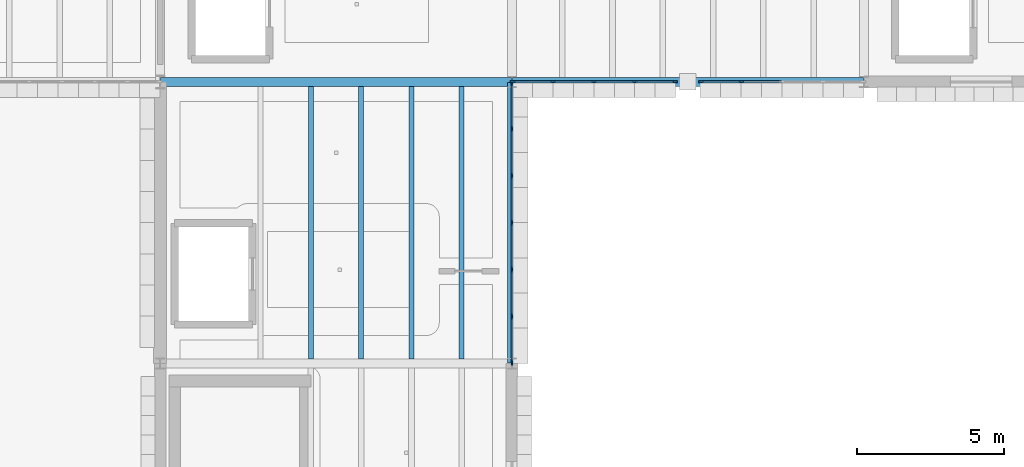
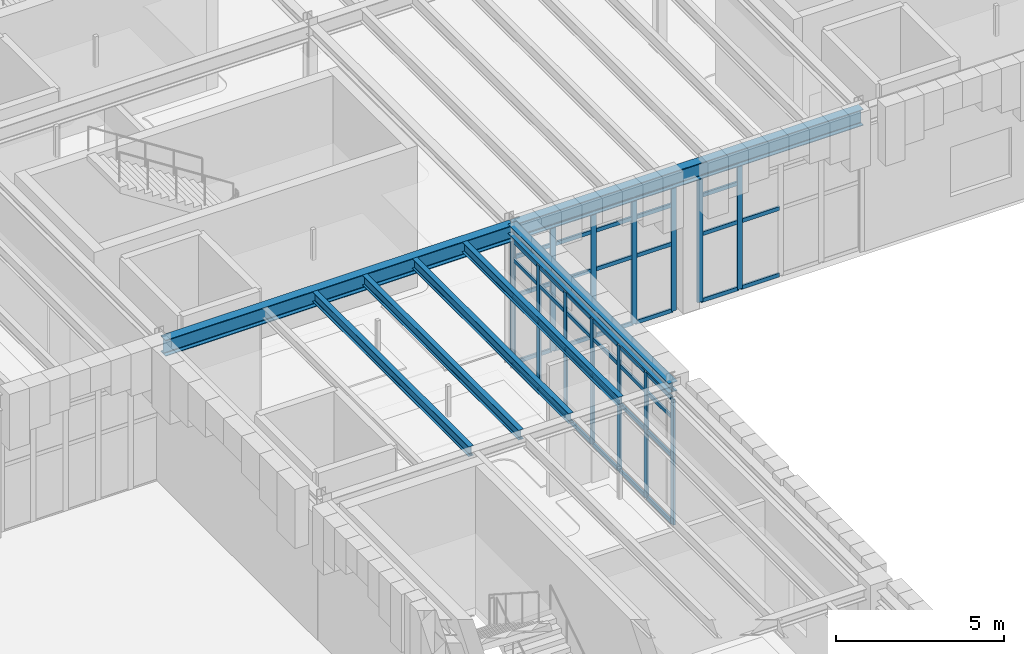
# One storey, part 35 of 103: 60 members, 7 beams, 3 elements without a shape of their own.
"""IFC4 building model written with IfcOpenShell, lengths in metres."""

import ifcopenshell
import ifcopenshell.guid

model = None  # the IFC model being written
_history = None  # IfcOwnerHistory: only IFC2X3 demands one
_inside = {}  # id of a spatial element -> (the spatial element, [elements in it])
_under = {}  # id of a project, library or spatial element -> (it, [spatial elements below it])
_declared = {}  # id of a project -> (the project, [libraries it declares])
_typed = {}  # id of a type object -> (the type object, [elements of that type])
_made_of = {}  # id of a material, layer set ... -> (it, [elements and type objects made of it])


def new_model(schema):
    """Start an empty IFC model of exactly this schema.

    Asked for "IFC4X3", IfcOpenShell would pick the latest addendum, in which some entities
    have other attributes; the version numbers below select the first issue.
    IFC2X3 requires an IfcOwnerHistory on every rooted entity: one is made here for all.
    """
    global model, _history
    if schema == "IFC4X3":
        model = ifcopenshell.file(schema_version=(4, 3, 0, 0))
    else:
        model = ifcopenshell.file(schema=schema)
    _inside.clear()
    _under.clear()
    _declared.clear()
    _typed.clear()
    _made_of.clear()
    _history = None
    if model.schema == "IFC2X3":
        org = make("IfcOrganization", Name="unknown")
        user = make(
            "IfcPersonAndOrganization",
            ThePerson=make("IfcPerson", FamilyName="unknown"),
            TheOrganization=org,
        )
        app = make(
            "IfcApplication",
            ApplicationDeveloper=org,
            Version="unknown",
            ApplicationFullName="unknown",
            ApplicationIdentifier="unknown",
        )
        _history = make(
            "IfcOwnerHistory",
            OwningUser=user,
            OwningApplication=app,
            ChangeAction="ADDED",
            CreationDate=0,
        )
    return model


def make(cls, **values):
    """One entity of the class cls with the attributes given. An attribute that is None is left unset."""
    return model.create_entity(
        cls, **{name: value for name, value in values.items() if value is not None}
    )


def rooted(cls, **values):
    """An entity with a GlobalId (a new one), such as an element, a storey or a relation."""
    return make(cls, GlobalId=ifcopenshell.guid.new(), OwnerHistory=_history, **values)


def si_unit(unit_type, name, prefix=None):
    """IfcSIUnit, for example si_unit("LENGTHUNIT", "METRE", prefix="MILLI")."""
    return make("IfcSIUnit", UnitType=unit_type, Prefix=prefix, Name=name)


def assignment(units):
    """IfcUnitAssignment: the units of a project."""
    return None if units is None else make("IfcUnitAssignment", Units=units)


def point(xyz):
    """IfcCartesianPoint."""
    return None if xyz is None else make("IfcCartesianPoint", Coordinates=xyz)


def direction(xyz):
    """IfcDirection."""
    return None if xyz is None else make("IfcDirection", DirectionRatios=xyz)


def frame(location, z_axis=None, x_axis=None):
    """IfcAxis2Placement3D, a coordinate frame: its origin and axes. An axis left out is left unset."""
    return make(
        "IfcAxis2Placement3D",
        Location=point(location),
        Axis=direction(z_axis),
        RefDirection=direction(x_axis),
    )


def frame_2d(location, x_axis=None):
    """IfcAxis2Placement2D, a coordinate frame in the plane: its origin and x axis."""
    return make(
        "IfcAxis2Placement2D", Location=point(location), RefDirection=direction(x_axis)
    )


def origin():
    """The frame at (0, 0, 0) with its axes left unset."""
    return frame((0.0, 0.0, 0.0))


def origin_2d():
    """The frame at (0, 0) in the plane with its x axis left unset."""
    return frame_2d((0.0, 0.0))


def place(relative_to, where):
    """IfcLocalPlacement: puts the frame where relative to a parent placement (None: the world)."""
    return make(
        "IfcLocalPlacement", PlacementRelTo=relative_to, RelativePlacement=where
    )


def context(
    kind, dimensions, precision=None, world=None, true_north=None, identifier=None
):
    """IfcGeometricRepresentationContext, for example the 3D "Model" context."""
    return make(
        "IfcGeometricRepresentationContext",
        ContextIdentifier=identifier,
        ContextType=kind,
        CoordinateSpaceDimension=dimensions,
        Precision=precision,
        WorldCoordinateSystem=world,
        TrueNorth=true_north,
    )


def subcontext(parent, identifier, kind, view, scale=None):
    """IfcGeometricRepresentationSubContext, for example "Body" below "Model"."""
    return make(
        "IfcGeometricRepresentationSubContext",
        ContextIdentifier=identifier,
        ContextType=kind,
        ParentContext=parent,
        TargetScale=scale,
        TargetView=view,
    )


def project(units=None, contexts=None):
    """IfcProject with its units and contexts."""
    return rooted(
        "IfcProject",
        Name="project",
        RepresentationContexts=contexts,
        UnitsInContext=assignment(units),
    )


def spatial(cls, under=None, at=None, **own):
    """A site, building, storey or space (cls), placed at a placement, below another one or the project."""
    s = rooted(cls, ObjectPlacement=at, **own)
    if under is not None:
        _under.setdefault(under.id(), (under, []))[1].append(s)
    return s


def profile(cls, at=None, kind="AREA", **sizes):
    """A parametric profile (cls). Its sizes go by their IFC names, for example OverallWidth=200.0."""
    return make(cls, ProfileType=kind, Position=at, **sizes)


def rectangle(**sizes):
    """IfcRectangleProfileDef."""
    return profile("IfcRectangleProfileDef", **sizes)


def i_section(**sizes):
    """IfcIShapeProfileDef."""
    return profile("IfcIShapeProfileDef", **sizes)


def extrude(swept, where, along, depth):
    """IfcExtrudedAreaSolid: the profile swept, set in the frame where, extruded along a direction by depth."""
    return make(
        "IfcExtrudedAreaSolid",
        SweptArea=swept,
        Position=where,
        ExtrudedDirection=direction(along),
        Depth=depth,
    )


def shape(context_of_items, identifier, shape_type, items):
    """IfcShapeRepresentation: the items that make up one representation, for example the "Body"."""
    return make(
        "IfcShapeRepresentation",
        ContextOfItems=context_of_items,
        RepresentationIdentifier=identifier,
        RepresentationType=shape_type,
        Items=items,
    )


def material(Name=None, Category=None):
    """IfcMaterial."""
    return make("IfcMaterial", Name=Name, Category=Category)


def layer(
    of_material, thickness, ventilated=None, Name=None, Category=None, Priority=None
):
    """IfcMaterialLayer: one layer of a wall or slab, of a material (None: an air gap)."""
    return make(
        "IfcMaterialLayer",
        Material=of_material,
        LayerThickness=thickness,
        IsVentilated=ventilated,
        Name=Name,
        Category=Category,
        Priority=Priority,
    )


def layer_set(layers, Name=None):
    """IfcMaterialLayerSet."""
    return make("IfcMaterialLayerSet", MaterialLayers=layers, LayerSetName=Name)


def material_profile(
    of_material, cross_section, Name=None, Category=None, Priority=None
):
    """IfcMaterialProfile: a cross section and its material."""
    return make(
        "IfcMaterialProfile",
        Name=Name,
        Material=of_material,
        Profile=cross_section,
        Priority=Priority,
        Category=Category,
    )


def profile_set(profiles, Name=None, composite=None):
    """IfcMaterialProfileSet."""
    return make(
        "IfcMaterialProfileSet",
        Name=Name,
        MaterialProfiles=profiles,
        CompositeProfile=composite,
    )


def made_of(thing, what):
    """Note that an element or type object is made of a material, layer set ...; save() writes the relation."""
    if what is not None:
        _made_of.setdefault(what.id(), (what, []))[1].append(thing)
    return thing


def type_object(cls, material=None, **own):
    """A type object (cls), such as IfcWallType, which elements share."""
    return made_of(rooted(cls, **own), material)


def element(
    cls,
    number,
    at=None,
    inside=None,
    cuts=None,
    type_object=None,
    material=None,
    context=None,
    identifier="Body",
    shape_type=None,
    held_by="IfcProductDefinitionShape",
    body=None,
    shapes=None,
    **own,
):
    """One element of the class cls, such as IfcWall. Its Tag is "e" and its number.

    at: its placement. inside: the storey or other place that contains it. cuts: it is an
    opening in that element (IfcRelVoidsElement). A single representation is given by context,
    identifier, shape_type and body (its items); several are given by shapes. held_by: the class
    of the entity that holds the representations. save() writes the other relations.
    """
    e = rooted(cls, Tag="e%d" % number, ObjectPlacement=at, **own)
    if body is not None:
        shapes = [shape(context, identifier, shape_type, body)]
    if shapes is not None:
        e.Representation = make(held_by, Representations=shapes)
    if inside is not None:
        _inside.setdefault(inside.id(), (inside, []))[1].append(e)
    if cuts is not None:
        rooted(
            "IfcRelVoidsElement", RelatingBuildingElement=cuts, RelatedOpeningElement=e
        )
    if type_object is not None:
        _typed.setdefault(type_object.id(), (type_object, []))[1].append(e)
    return made_of(e, material)


def aggregate(whole, parts):
    """IfcRelAggregates: a whole, such as a stair, and the parts it consists of."""
    return rooted("IfcRelAggregates", RelatingObject=whole, RelatedObjects=parts)


def save(model, path):
    """Write the relations noted so far, then the file.

    IfcRelAggregates (storeys below a building ...), IfcRelContainedInSpatialStructure (elements
    in a storey), IfcRelDefinesByType, IfcRelAssociatesMaterial and IfcRelDeclares: one each for
    every whole, place, type object, material and project.
    """
    for whole, parts in _under.values():
        aggregate(whole, parts)
    for where, things in _inside.values():
        rooted(
            "IfcRelContainedInSpatialStructure",
            RelatedElements=things,
            RelatingStructure=where,
        )
    for kind, things in _typed.values():
        rooted("IfcRelDefinesByType", RelatedObjects=things, RelatingType=kind)
    for what, things in _made_of.values():
        rooted("IfcRelAssociatesMaterial", RelatedObjects=things, RelatingMaterial=what)
    for by, libraries in _declared.values():
        rooted("IfcRelDeclares", RelatingContext=by, RelatedDefinitions=libraries)
    model.write(path)


model = new_model("IFC4")

# Units and contexts
model_context = context("Model", 3, precision=1e-05, world=origin(), true_north=direction((0.0, 1.0)))
body_context = subcontext(model_context, "Body", "Model", "MODEL_VIEW")
ifc_project = project(units=[si_unit("LENGTHUNIT", "METRE"), si_unit("AREAUNIT", "SQUARE_METRE"), si_unit("VOLUMEUNIT", "CUBIC_METRE"), si_unit("PLANEANGLEUNIT", "RADIAN"), si_unit("MASSUNIT", "GRAM", prefix="KILO")], contexts=[model_context])

# Site, building, storey
site_placement = place(None, origin())
site = spatial("IfcSite", under=ifc_project, at=site_placement, CompositionType="ELEMENT")
building_placement = place(site_placement, origin())
building = spatial("IfcBuilding", under=site, at=building_placement, Name="Zlatogorsky Bluff Art Gallery", CompositionType="ELEMENT")
storey_placement = place(building_placement, origin())
storey = spatial("IfcBuildingStorey", under=building, at=storey_placement, Name="L00", CompositionType="ELEMENT", Elevation=0.0)

# Beams
ifc_material_1 = material(Name="Steel S355", Category="steel")
ifc_material_profile_1 = material_profile(ifc_material_1, i_section(OverallWidth=0.300048828125, OverallDepth=0.590087890625, WebThickness=0.012939453125, FlangeThickness=0.02490234375, FilletRadius=0.027099609375, at=origin_2d()), Name="HEA 600")
ifc_profile_set_1 = profile_set([ifc_material_profile_1], Name="Steel S355")
beam_type_1 = type_object("IfcBeamType", Name="Beam BM-05 HEA 600", PredefinedType="BEAM", material=ifc_profile_set_1)
for number, where, z_axis, x_axis, name in (
    (1, (120.014892578125, 84.0, 4.844970703125), (1.0, 0.0, 0.0), (0.0, 1.0, 0.0), "Primary girder BM-05 L00 L-M/9"),
    (2, (132.014892578125, 84.0, 4.844970703125), (1.0, 0.0, 0.0), (0.0, 1.0, 0.0), "Primary girder BM-05 L00 M-N/9"),
):
    element("IfcBeam", number, at=place(storey_placement, frame(where, z_axis=z_axis, x_axis=x_axis)), inside=storey, type_object=beam_type_1, Name=name, PredefinedType="BEAM", context=body_context, shape_type="SweptSolid", body=[
        extrude(i_section(OverallWidth=0.300048828125, OverallDepth=0.590087890625, WebThickness=0.012939453125, FlangeThickness=0.02490234375, FilletRadius=0.027099609375, at=origin_2d()), origin(), (0.0, 0.0, 1.0), 11.97021484375),
    ])
ifc_material_profile_2 = material_profile(ifc_material_1, i_section(OverallWidth=0.300048828125, OverallDepth=0.35009765625, WebThickness=0.010009765625, FlangeThickness=0.017578125, FilletRadius=0.027099609375, at=origin_2d()), Name="HEA 360")
ifc_profile_set_2 = profile_set([ifc_material_profile_2], Name="Steel S355")
beam_type_2 = type_object("IfcBeamType", Name="Beam BM-10 HEA 360", PredefinedType="BEAM", material=ifc_profile_set_2)
beam_placement = place(storey_placement, frame((132.0, 74.4150390625, 4.965087890625), z_axis=(0.0, 1.0, 0.0), x_axis=(-1.0, 0.0, 0.0)))
element("IfcBeam", 3, at=beam_placement, inside=storey, type_object=beam_type_2, Name="Primary girder BM-10 L00 M/8-9", PredefinedType="BEAM", context=body_context, shape_type="SweptSolid", body=[
    extrude(i_section(OverallWidth=0.300048828125, OverallDepth=0.35009765625, WebThickness=0.010009765625, FlangeThickness=0.017578125, FilletRadius=0.027099609375, at=origin_2d()), origin(), (0.0, 0.0, 1.0), 9.570068359375),
])
ifc_material_profile_3 = material_profile(ifc_material_1, i_section(OverallWidth=0.169921875, OverallDepth=0.360107421875, WebThickness=0.008056640625, FlangeThickness=0.0126953125, FilletRadius=0.01806640625, at=origin_2d()), Name="IPE 360")
ifc_profile_set_3 = profile_set([ifc_material_profile_3], Name="Steel S355")
beam_type_3 = type_object("IfcBeamType", Name="Beam JS-04 IPE 360", PredefinedType="JOIST", material=ifc_profile_set_3)
for number, where, z_axis, x_axis, name in (
    (4, (125.142822265625, 74.550048828125, 4.9599609375), (0.0, 1.0, 0.0), (-1.0, 0.0, 0.0), "Composite floor joist JS-04 L00 10.07.3"),
    (5, (126.857177734375, 74.550048828125, 4.9599609375), (0.0, 1.0, 0.0), (-1.0, 0.0, 0.0), "Composite floor joist JS-04 L00 10.07.4"),
    (6, (128.571533203125, 74.550048828125, 4.9599609375), (0.0, 1.0, 0.0), (-1.0, 0.0, 0.0), "Composite floor joist JS-04 L00 10.07.5"),
    (7, (130.28564453125, 74.550048828125, 4.9599609375), (0.0, 1.0, 0.0), (-1.0, 0.0, 0.0), "Composite floor joist JS-04 L00 10.07.6"),
):
    element("IfcBeam", number, at=place(storey_placement, frame(where, z_axis=z_axis, x_axis=x_axis)), inside=storey, type_object=beam_type_3, Name=name, PredefinedType="JOIST", context=body_context, shape_type="SweptSolid", body=[
        extrude(i_section(OverallWidth=0.169921875, OverallDepth=0.360107421875, WebThickness=0.008056640625, FlangeThickness=0.0126953125, FilletRadius=0.01806640625, at=origin_2d()), origin(), (0.0, 0.0, 1.0), 9.300048828125),
    ])

# Curtain wall, members
ifc_material_2 = material(Name="Anodised Bronze Aluminium and Low-Iron Triple Glazing", Category="aluminium")
ifc_layer = layer(ifc_material_2, 0.199951171875)
ifc_layer_set = layer_set([ifc_layer], Name="Curtain Wall CW-02")
curtain_wall_type = type_object("IfcCurtainWallType", Name="Curtain Wall CW-02", PredefinedType="USERDEFINED", material=ifc_layer_set)
curtain_wall_1_placement = place(storey_placement, origin())
curtain_wall_1 = element("IfcCurtainWall", 8, at=curtain_wall_1_placement, inside=storey, type_object=curtain_wall_type, Name="Unitised curtain wall CW-02 L00 E 10.7", ObjectType="CURTAIN WALL", PredefinedType="USERDEFINED")
ifc_material_3 = material(Name="Anodised Bronze Aluminium", Category="aluminium")
ifc_material_profile_4 = material_profile(ifc_material_3, rectangle(XDim=0.06494140625, YDim=0.179931640625, at=origin_2d()), Name="ALU MULLION 65x180")
ifc_profile_set_4 = profile_set([ifc_material_profile_4], Name="Anodised Bronze Aluminium")
member_type_1 = type_object("IfcMemberType", Name="Curtain Mullion ML-01", PredefinedType="MULLION", material=ifc_profile_set_4)
member_1_placement = place(storey_placement, frame((132.0, 74.4326171875, 0.0), z_axis=(0.0, 0.0, 1.0), x_axis=(-1.0, 0.0, 0.0)))
member_1 = element("IfcMember", 9, at=member_1_placement, type_object=member_type_1, Name="CW-02 mullion 1", PredefinedType="MULLION", context=body_context, shape_type="SweptSolid", body=[
    extrude(rectangle(XDim=0.06494140625, YDim=0.179931640625, at=origin_2d()), origin(), (0.0, 0.0, 1.0), 4.56005859375),
])
member_2_placement = place(storey_placement, frame((132.0, 76.0, 0.0), z_axis=(0.0, 0.0, 1.0), x_axis=(-1.0, 0.0, 0.0)))
member_2 = element("IfcMember", 10, at=member_2_placement, type_object=member_type_1, Name="CW-02 mullion 2", PredefinedType="MULLION", context=body_context, shape_type="SweptSolid", body=[
    extrude(rectangle(XDim=0.06494140625, YDim=0.179931640625, at=origin_2d()), origin(), (0.0, 0.0, 1.0), 4.56005859375),
])
member_3_placement = place(storey_placement, frame((132.0, 77.60009765625, 0.0), z_axis=(0.0, 0.0, 1.0), x_axis=(-1.0, 0.0, 0.0)))
member_3 = element("IfcMember", 11, at=member_3_placement, type_object=member_type_1, Name="CW-02 mullion 3", PredefinedType="MULLION", context=body_context, shape_type="SweptSolid", body=[
    extrude(rectangle(XDim=0.06494140625, YDim=0.179931640625, at=origin_2d()), origin(), (0.0, 0.0, 1.0), 4.56005859375),
])
member_4_placement = place(storey_placement, frame((132.0, 79.199951171875, 0.0), z_axis=(0.0, 0.0, 1.0), x_axis=(-1.0, 0.0, 0.0)))
member_4 = element("IfcMember", 12, at=member_4_placement, type_object=member_type_1, Name="CW-02 mullion 4", PredefinedType="MULLION", context=body_context, shape_type="SweptSolid", body=[
    extrude(rectangle(XDim=0.06494140625, YDim=0.179931640625, at=origin_2d()), origin(), (0.0, 0.0, 1.0), 4.56005859375),
])
member_5_placement = place(storey_placement, frame((132.0, 80.800048828125, 0.0), z_axis=(0.0, 0.0, 1.0), x_axis=(-1.0, 0.0, 0.0)))
member_5 = element("IfcMember", 13, at=member_5_placement, type_object=member_type_1, Name="CW-02 mullion 5", PredefinedType="MULLION", context=body_context, shape_type="SweptSolid", body=[
    extrude(rectangle(XDim=0.06494140625, YDim=0.179931640625, at=origin_2d()), origin(), (0.0, 0.0, 1.0), 4.56005859375),
])
member_6_placement = place(storey_placement, frame((132.0, 82.39990234375, 0.0), z_axis=(0.0, 0.0, 1.0), x_axis=(-1.0, 0.0, 0.0)))
member_6 = element("IfcMember", 14, at=member_6_placement, type_object=member_type_1, Name="CW-02 mullion 6", PredefinedType="MULLION", context=body_context, shape_type="SweptSolid", body=[
    extrude(rectangle(XDim=0.06494140625, YDim=0.179931640625, at=origin_2d()), origin(), (0.0, 0.0, 1.0), 4.56005859375),
])
member_7_placement = place(storey_placement, frame((132.0, 83.967529296875, 0.0), z_axis=(0.0, 0.0, 1.0), x_axis=(-1.0, 0.0, 0.0)))
member_7 = element("IfcMember", 15, at=member_7_placement, type_object=member_type_1, Name="CW-02 mullion 7", PredefinedType="MULLION", context=body_context, shape_type="SweptSolid", body=[
    extrude(rectangle(XDim=0.06494140625, YDim=0.179931640625, at=origin_2d()), origin(), (0.0, 0.0, 1.0), 4.56005859375),
])

curtain_wall_2_placement = place(storey_placement, origin())
curtain_wall_2 = element("IfcCurtainWall", 16, at=curtain_wall_2_placement, inside=storey, type_object=curtain_wall_type, Name="Unitised curtain wall CW-02 L00 S 11.8-A", ObjectType="CURTAIN WALL", PredefinedType="USERDEFINED")
member_8_placement = place(storey_placement, frame((132.032470703125, 84.0, 0.0), z_axis=(0.0, 0.0, 1.0), x_axis=(0.0, 1.0, 0.0)))
member_8 = element("IfcMember", 17, at=member_8_placement, type_object=member_type_1, Name="CW-02 mullion 1", PredefinedType="MULLION", context=body_context, shape_type="SweptSolid", body=[
    extrude(rectangle(XDim=0.06494140625, YDim=0.179931640625, at=origin_2d()), origin(), (0.0, 0.0, 1.0), 4.56005859375),
])
member_9_placement = place(storey_placement, frame((133.39501953125, 84.0, 0.0), z_axis=(0.0, 0.0, 1.0), x_axis=(0.0, 1.0, 0.0)))
member_9 = element("IfcMember", 18, at=member_9_placement, type_object=member_type_1, Name="CW-02 mullion 2", PredefinedType="MULLION", context=body_context, shape_type="SweptSolid", body=[
    extrude(rectangle(XDim=0.06494140625, YDim=0.179931640625, at=origin_2d()), origin(), (0.0, 0.0, 1.0), 4.56005859375),
])
member_10_placement = place(storey_placement, frame((134.7900390625, 84.0, 0.0), z_axis=(0.0, 0.0, 1.0), x_axis=(0.0, 1.0, 0.0)))
member_10 = element("IfcMember", 19, at=member_10_placement, type_object=member_type_1, Name="CW-02 mullion 3", PredefinedType="MULLION", context=body_context, shape_type="SweptSolid", body=[
    extrude(rectangle(XDim=0.06494140625, YDim=0.179931640625, at=origin_2d()), origin(), (0.0, 0.0, 1.0), 4.56005859375),
])
member_11_placement = place(storey_placement, frame((136.18505859375, 84.0, 0.0), z_axis=(0.0, 0.0, 1.0), x_axis=(0.0, 1.0, 0.0)))
member_11 = element("IfcMember", 20, at=member_11_placement, type_object=member_type_1, Name="CW-02 mullion 4", PredefinedType="MULLION", context=body_context, shape_type="SweptSolid", body=[
    extrude(rectangle(XDim=0.06494140625, YDim=0.179931640625, at=origin_2d()), origin(), (0.0, 0.0, 1.0), 4.56005859375),
])
member_12_placement = place(storey_placement, frame((137.547607421875, 84.0, 0.0), z_axis=(0.0, 0.0, 1.0), x_axis=(0.0, 1.0, 0.0)))
member_12 = element("IfcMember", 21, at=member_12_placement, type_object=member_type_1, Name="CW-02 mullion 5", PredefinedType="MULLION", context=body_context, shape_type="SweptSolid", body=[
    extrude(rectangle(XDim=0.06494140625, YDim=0.179931640625, at=origin_2d()), origin(), (0.0, 0.0, 1.0), 4.56005859375),
])

curtain_wall_3_placement = place(storey_placement, origin())
curtain_wall_3 = element("IfcCurtainWall", 22, at=curtain_wall_3_placement, inside=storey, type_object=curtain_wall_type, Name="Unitised curtain wall CW-02 L00 S 11.8-B", ObjectType="CURTAIN WALL", PredefinedType="USERDEFINED")
member_13_placement = place(storey_placement, frame((138.452392578125, 84.0, 0.0), z_axis=(0.0, 0.0, 1.0), x_axis=(0.0, 1.0, 0.0)))
member_13 = element("IfcMember", 23, at=member_13_placement, type_object=member_type_1, Name="CW-02 mullion 1", PredefinedType="MULLION", context=body_context, shape_type="SweptSolid", body=[
    extrude(rectangle(XDim=0.06494140625, YDim=0.179931640625, at=origin_2d()), origin(), (0.0, 0.0, 1.0), 4.56005859375),
])
member_14_placement = place(storey_placement, frame((139.81494140625, 84.0, 0.0), z_axis=(0.0, 0.0, 1.0), x_axis=(0.0, 1.0, 0.0)))
member_14 = element("IfcMember", 24, at=member_14_placement, type_object=member_type_1, Name="CW-02 mullion 2", PredefinedType="MULLION", context=body_context, shape_type="SweptSolid", body=[
    extrude(rectangle(XDim=0.06494140625, YDim=0.179931640625, at=origin_2d()), origin(), (0.0, 0.0, 1.0), 4.56005859375),
])

# Member
ifc_material_profile_5 = material_profile(ifc_material_3, rectangle(XDim=0.06494140625, YDim=0.139892578125, at=origin_2d()), Name="ALU TRANSOM 65x140")
ifc_profile_set_5 = profile_set([ifc_material_profile_5], Name="Anodised Bronze Aluminium")
member_type_2 = type_object("IfcMemberType", Name="Curtain Transom TR-01", PredefinedType="USERDEFINED", material=ifc_profile_set_5)
member_15_placement = place(storey_placement, frame((132.0, 74.465087890625, 0.032470703125), z_axis=(0.0, 1.0, 0.0), x_axis=(-1.0, 0.0, 0.0)))
member_15 = element("IfcMember", 25, at=member_15_placement, type_object=member_type_2, Name="CW-02 transom 1.1", ObjectType="TRANSOM", PredefinedType="USERDEFINED", context=body_context, shape_type="SweptSolid", body=[
    extrude(rectangle(XDim=0.06494140625, YDim=0.139892578125, at=origin_2d()), origin(), (0.0, 0.0, 1.0), 1.50244140625),
])

member_16_placement = place(storey_placement, frame((132.0, 74.465087890625, 2.449951171875), z_axis=(0.0, 1.0, 0.0), x_axis=(-1.0, 0.0, 0.0)))
member_16 = element("IfcMember", 26, at=member_16_placement, type_object=member_type_2, Name="CW-02 transom 1.2", ObjectType="TRANSOM", PredefinedType="USERDEFINED", context=body_context, shape_type="SweptSolid", body=[
    extrude(rectangle(XDim=0.06494140625, YDim=0.139892578125, at=origin_2d()), origin(), (0.0, 0.0, 1.0), 1.50244140625),
])

member_17_placement = place(storey_placement, frame((132.0, 74.465087890625, 3.85009765625), z_axis=(0.0, 1.0, 0.0), x_axis=(-1.0, 0.0, 0.0)))
member_17 = element("IfcMember", 27, at=member_17_placement, type_object=member_type_2, Name="CW-02 transom 1.3", ObjectType="TRANSOM", PredefinedType="USERDEFINED", context=body_context, shape_type="SweptSolid", body=[
    extrude(rectangle(XDim=0.06494140625, YDim=0.139892578125, at=origin_2d()), origin(), (0.0, 0.0, 1.0), 1.50244140625),
])

member_18_placement = place(storey_placement, frame((132.0, 74.465087890625, 4.527587890625), z_axis=(0.0, 1.0, 0.0), x_axis=(-1.0, 0.0, 0.0)))
member_18 = element("IfcMember", 28, at=member_18_placement, type_object=member_type_2, Name="CW-02 transom 1.4", ObjectType="TRANSOM", PredefinedType="USERDEFINED", context=body_context, shape_type="SweptSolid", body=[
    extrude(rectangle(XDim=0.06494140625, YDim=0.139892578125, at=origin_2d()), origin(), (0.0, 0.0, 1.0), 1.50244140625),
])

member_19_placement = place(storey_placement, frame((132.0, 76.032470703125, 0.032470703125), z_axis=(0.0, 1.0, 0.0), x_axis=(-1.0, 0.0, 0.0)))
member_19 = element("IfcMember", 29, at=member_19_placement, type_object=member_type_2, Name="CW-02 transom 2.1", ObjectType="TRANSOM", PredefinedType="USERDEFINED", context=body_context, shape_type="SweptSolid", body=[
    extrude(rectangle(XDim=0.06494140625, YDim=0.139892578125, at=origin_2d()), origin(), (0.0, 0.0, 1.0), 1.534912109375),
])

member_20_placement = place(storey_placement, frame((132.0, 76.032470703125, 2.449951171875), z_axis=(0.0, 1.0, 0.0), x_axis=(-1.0, 0.0, 0.0)))
member_20 = element("IfcMember", 30, at=member_20_placement, type_object=member_type_2, Name="CW-02 transom 2.2", ObjectType="TRANSOM", PredefinedType="USERDEFINED", context=body_context, shape_type="SweptSolid", body=[
    extrude(rectangle(XDim=0.06494140625, YDim=0.139892578125, at=origin_2d()), origin(), (0.0, 0.0, 1.0), 1.534912109375),
])

member_21_placement = place(storey_placement, frame((132.0, 76.032470703125, 3.85009765625), z_axis=(0.0, 1.0, 0.0), x_axis=(-1.0, 0.0, 0.0)))
member_21 = element("IfcMember", 31, at=member_21_placement, type_object=member_type_2, Name="CW-02 transom 2.3", ObjectType="TRANSOM", PredefinedType="USERDEFINED", context=body_context, shape_type="SweptSolid", body=[
    extrude(rectangle(XDim=0.06494140625, YDim=0.139892578125, at=origin_2d()), origin(), (0.0, 0.0, 1.0), 1.534912109375),
])

member_22_placement = place(storey_placement, frame((132.0, 76.032470703125, 4.527587890625), z_axis=(0.0, 1.0, 0.0), x_axis=(-1.0, 0.0, 0.0)))
member_22 = element("IfcMember", 32, at=member_22_placement, type_object=member_type_2, Name="CW-02 transom 2.4", ObjectType="TRANSOM", PredefinedType="USERDEFINED", context=body_context, shape_type="SweptSolid", body=[
    extrude(rectangle(XDim=0.06494140625, YDim=0.139892578125, at=origin_2d()), origin(), (0.0, 0.0, 1.0), 1.534912109375),
])

member_23_placement = place(storey_placement, frame((132.0, 77.632568359375, 0.032470703125), z_axis=(0.0, 1.0, 0.0), x_axis=(-1.0, 0.0, 0.0)))
member_23 = element("IfcMember", 33, at=member_23_placement, type_object=member_type_2, Name="CW-02 transom 3.1", ObjectType="TRANSOM", PredefinedType="USERDEFINED", context=body_context, shape_type="SweptSolid", body=[
    extrude(rectangle(XDim=0.06494140625, YDim=0.139892578125, at=origin_2d()), origin(), (0.0, 0.0, 1.0), 1.534912109375),
])

member_24_placement = place(storey_placement, frame((132.0, 77.632568359375, 2.449951171875), z_axis=(0.0, 1.0, 0.0), x_axis=(-1.0, 0.0, 0.0)))
member_24 = element("IfcMember", 34, at=member_24_placement, type_object=member_type_2, Name="CW-02 transom 3.2", ObjectType="TRANSOM", PredefinedType="USERDEFINED", context=body_context, shape_type="SweptSolid", body=[
    extrude(rectangle(XDim=0.06494140625, YDim=0.139892578125, at=origin_2d()), origin(), (0.0, 0.0, 1.0), 1.534912109375),
])

member_25_placement = place(storey_placement, frame((132.0, 77.632568359375, 3.85009765625), z_axis=(0.0, 1.0, 0.0), x_axis=(-1.0, 0.0, 0.0)))
member_25 = element("IfcMember", 35, at=member_25_placement, type_object=member_type_2, Name="CW-02 transom 3.3", ObjectType="TRANSOM", PredefinedType="USERDEFINED", context=body_context, shape_type="SweptSolid", body=[
    extrude(rectangle(XDim=0.06494140625, YDim=0.139892578125, at=origin_2d()), origin(), (0.0, 0.0, 1.0), 1.534912109375),
])

member_26_placement = place(storey_placement, frame((132.0, 77.632568359375, 4.527587890625), z_axis=(0.0, 1.0, 0.0), x_axis=(-1.0, 0.0, 0.0)))
member_26 = element("IfcMember", 36, at=member_26_placement, type_object=member_type_2, Name="CW-02 transom 3.4", ObjectType="TRANSOM", PredefinedType="USERDEFINED", context=body_context, shape_type="SweptSolid", body=[
    extrude(rectangle(XDim=0.06494140625, YDim=0.139892578125, at=origin_2d()), origin(), (0.0, 0.0, 1.0), 1.534912109375),
])

member_27_placement = place(storey_placement, frame((132.0, 79.232421875, 0.032470703125), z_axis=(0.0, 1.0, 0.0), x_axis=(-1.0, 0.0, 0.0)))
member_27 = element("IfcMember", 37, at=member_27_placement, type_object=member_type_2, Name="CW-02 transom 4.1", ObjectType="TRANSOM", PredefinedType="USERDEFINED", context=body_context, shape_type="SweptSolid", body=[
    extrude(rectangle(XDim=0.06494140625, YDim=0.139892578125, at=origin_2d()), origin(), (0.0, 0.0, 1.0), 1.53515625),
])

member_28_placement = place(storey_placement, frame((132.0, 79.232421875, 2.449951171875), z_axis=(0.0, 1.0, 0.0), x_axis=(-1.0, 0.0, 0.0)))
member_28 = element("IfcMember", 38, at=member_28_placement, type_object=member_type_2, Name="CW-02 transom 4.2", ObjectType="TRANSOM", PredefinedType="USERDEFINED", context=body_context, shape_type="SweptSolid", body=[
    extrude(rectangle(XDim=0.06494140625, YDim=0.139892578125, at=origin_2d()), origin(), (0.0, 0.0, 1.0), 1.53515625),
])

member_29_placement = place(storey_placement, frame((132.0, 79.232421875, 3.85009765625), z_axis=(0.0, 1.0, 0.0), x_axis=(-1.0, 0.0, 0.0)))
member_29 = element("IfcMember", 39, at=member_29_placement, type_object=member_type_2, Name="CW-02 transom 4.3", ObjectType="TRANSOM", PredefinedType="USERDEFINED", context=body_context, shape_type="SweptSolid", body=[
    extrude(rectangle(XDim=0.06494140625, YDim=0.139892578125, at=origin_2d()), origin(), (0.0, 0.0, 1.0), 1.53515625),
])

member_30_placement = place(storey_placement, frame((132.0, 79.232421875, 4.527587890625), z_axis=(0.0, 1.0, 0.0), x_axis=(-1.0, 0.0, 0.0)))
member_30 = element("IfcMember", 40, at=member_30_placement, type_object=member_type_2, Name="CW-02 transom 4.4", ObjectType="TRANSOM", PredefinedType="USERDEFINED", context=body_context, shape_type="SweptSolid", body=[
    extrude(rectangle(XDim=0.06494140625, YDim=0.139892578125, at=origin_2d()), origin(), (0.0, 0.0, 1.0), 1.53515625),
])

member_31_placement = place(storey_placement, frame((132.0, 80.83251953125, 0.032470703125), z_axis=(0.0, 1.0, 0.0), x_axis=(-1.0, 0.0, 0.0)))
member_31 = element("IfcMember", 41, at=member_31_placement, type_object=member_type_2, Name="CW-02 transom 5.1", ObjectType="TRANSOM", PredefinedType="USERDEFINED", context=body_context, shape_type="SweptSolid", body=[
    extrude(rectangle(XDim=0.06494140625, YDim=0.139892578125, at=origin_2d()), origin(), (0.0, 0.0, 1.0), 1.534912109375),
])

member_32_placement = place(storey_placement, frame((132.0, 80.83251953125, 2.449951171875), z_axis=(0.0, 1.0, 0.0), x_axis=(-1.0, 0.0, 0.0)))
member_32 = element("IfcMember", 42, at=member_32_placement, type_object=member_type_2, Name="CW-02 transom 5.2", ObjectType="TRANSOM", PredefinedType="USERDEFINED", context=body_context, shape_type="SweptSolid", body=[
    extrude(rectangle(XDim=0.06494140625, YDim=0.139892578125, at=origin_2d()), origin(), (0.0, 0.0, 1.0), 1.534912109375),
])

member_33_placement = place(storey_placement, frame((132.0, 80.83251953125, 3.85009765625), z_axis=(0.0, 1.0, 0.0), x_axis=(-1.0, 0.0, 0.0)))
member_33 = element("IfcMember", 43, at=member_33_placement, type_object=member_type_2, Name="CW-02 transom 5.3", ObjectType="TRANSOM", PredefinedType="USERDEFINED", context=body_context, shape_type="SweptSolid", body=[
    extrude(rectangle(XDim=0.06494140625, YDim=0.139892578125, at=origin_2d()), origin(), (0.0, 0.0, 1.0), 1.534912109375),
])

member_34_placement = place(storey_placement, frame((132.0, 80.83251953125, 4.527587890625), z_axis=(0.0, 1.0, 0.0), x_axis=(-1.0, 0.0, 0.0)))
member_34 = element("IfcMember", 44, at=member_34_placement, type_object=member_type_2, Name="CW-02 transom 5.4", ObjectType="TRANSOM", PredefinedType="USERDEFINED", context=body_context, shape_type="SweptSolid", body=[
    extrude(rectangle(XDim=0.06494140625, YDim=0.139892578125, at=origin_2d()), origin(), (0.0, 0.0, 1.0), 1.534912109375),
])

member_35_placement = place(storey_placement, frame((132.0, 82.4326171875, 0.032470703125), z_axis=(0.0, 1.0, 0.0), x_axis=(-1.0, 0.0, 0.0)))
member_35 = element("IfcMember", 45, at=member_35_placement, type_object=member_type_2, Name="CW-02 transom 6.1", ObjectType="TRANSOM", PredefinedType="USERDEFINED", context=body_context, shape_type="SweptSolid", body=[
    extrude(rectangle(XDim=0.06494140625, YDim=0.139892578125, at=origin_2d()), origin(), (0.0, 0.0, 1.0), 1.50244140625),
])

member_36_placement = place(storey_placement, frame((132.0, 82.4326171875, 2.449951171875), z_axis=(0.0, 1.0, 0.0), x_axis=(-1.0, 0.0, 0.0)))
member_36 = element("IfcMember", 46, at=member_36_placement, type_object=member_type_2, Name="CW-02 transom 6.2", ObjectType="TRANSOM", PredefinedType="USERDEFINED", context=body_context, shape_type="SweptSolid", body=[
    extrude(rectangle(XDim=0.06494140625, YDim=0.139892578125, at=origin_2d()), origin(), (0.0, 0.0, 1.0), 1.50244140625),
])

member_37_placement = place(storey_placement, frame((132.0, 82.4326171875, 3.85009765625), z_axis=(0.0, 1.0, 0.0), x_axis=(-1.0, 0.0, 0.0)))
member_37 = element("IfcMember", 47, at=member_37_placement, type_object=member_type_2, Name="CW-02 transom 6.3", ObjectType="TRANSOM", PredefinedType="USERDEFINED", context=body_context, shape_type="SweptSolid", body=[
    extrude(rectangle(XDim=0.06494140625, YDim=0.139892578125, at=origin_2d()), origin(), (0.0, 0.0, 1.0), 1.50244140625),
])

member_38_placement = place(storey_placement, frame((132.0, 82.4326171875, 4.527587890625), z_axis=(0.0, 1.0, 0.0), x_axis=(-1.0, 0.0, 0.0)))
member_38 = element("IfcMember", 48, at=member_38_placement, type_object=member_type_2, Name="CW-02 transom 6.4", ObjectType="TRANSOM", PredefinedType="USERDEFINED", context=body_context, shape_type="SweptSolid", body=[
    extrude(rectangle(XDim=0.06494140625, YDim=0.139892578125, at=origin_2d()), origin(), (0.0, 0.0, 1.0), 1.50244140625),
])

aggregate(curtain_wall_1, [member_1, member_2, member_3, member_4, member_5, member_6, member_7, member_15, member_16, member_17, member_18, member_19, member_20, member_21, member_22, member_23, member_24, member_25, member_26, member_27, member_28, member_29, member_30, member_31, member_32, member_33, member_34, member_35, member_36, member_37, member_38])

member_39_placement = place(storey_placement, frame((132.06494140625, 84.0, 0.032470703125), z_axis=(1.0, 0.0, 0.0), x_axis=(0.0, 1.0, 0.0)))
member_39 = element("IfcMember", 49, at=member_39_placement, type_object=member_type_2, Name="CW-02 transom 1.1", ObjectType="TRANSOM", PredefinedType="USERDEFINED", context=body_context, shape_type="SweptSolid", body=[
    extrude(rectangle(XDim=0.06494140625, YDim=0.139892578125, at=origin_2d()), origin(), (0.0, 0.0, 1.0), 1.297607421875),
])

member_40_placement = place(storey_placement, frame((132.06494140625, 84.0, 2.449951171875), z_axis=(1.0, 0.0, 0.0), x_axis=(0.0, 1.0, 0.0)))
member_40 = element("IfcMember", 50, at=member_40_placement, type_object=member_type_2, Name="CW-02 transom 1.2", ObjectType="TRANSOM", PredefinedType="USERDEFINED", context=body_context, shape_type="SweptSolid", body=[
    extrude(rectangle(XDim=0.06494140625, YDim=0.139892578125, at=origin_2d()), origin(), (0.0, 0.0, 1.0), 1.297607421875),
])

member_41_placement = place(storey_placement, frame((132.06494140625, 84.0, 3.85009765625), z_axis=(1.0, 0.0, 0.0), x_axis=(0.0, 1.0, 0.0)))
member_41 = element("IfcMember", 51, at=member_41_placement, type_object=member_type_2, Name="CW-02 transom 1.3", ObjectType="TRANSOM", PredefinedType="USERDEFINED", context=body_context, shape_type="SweptSolid", body=[
    extrude(rectangle(XDim=0.06494140625, YDim=0.139892578125, at=origin_2d()), origin(), (0.0, 0.0, 1.0), 1.297607421875),
])

member_42_placement = place(storey_placement, frame((132.06494140625, 84.0, 4.527587890625), z_axis=(1.0, 0.0, 0.0), x_axis=(0.0, 1.0, 0.0)))
member_42 = element("IfcMember", 52, at=member_42_placement, type_object=member_type_2, Name="CW-02 transom 1.4", ObjectType="TRANSOM", PredefinedType="USERDEFINED", context=body_context, shape_type="SweptSolid", body=[
    extrude(rectangle(XDim=0.06494140625, YDim=0.139892578125, at=origin_2d()), origin(), (0.0, 0.0, 1.0), 1.297607421875),
])

member_43_placement = place(storey_placement, frame((133.427490234375, 84.0, 0.032470703125), z_axis=(1.0, 0.0, 0.0), x_axis=(0.0, 1.0, 0.0)))
member_43 = element("IfcMember", 53, at=member_43_placement, type_object=member_type_2, Name="CW-02 transom 2.1", ObjectType="TRANSOM", PredefinedType="USERDEFINED", context=body_context, shape_type="SweptSolid", body=[
    extrude(rectangle(XDim=0.06494140625, YDim=0.139892578125, at=origin_2d()), origin(), (0.0, 0.0, 1.0), 1.330078125),
])

member_44_placement = place(storey_placement, frame((133.427490234375, 84.0, 2.449951171875), z_axis=(1.0, 0.0, 0.0), x_axis=(0.0, 1.0, 0.0)))
member_44 = element("IfcMember", 54, at=member_44_placement, type_object=member_type_2, Name="CW-02 transom 2.2", ObjectType="TRANSOM", PredefinedType="USERDEFINED", context=body_context, shape_type="SweptSolid", body=[
    extrude(rectangle(XDim=0.06494140625, YDim=0.139892578125, at=origin_2d()), origin(), (0.0, 0.0, 1.0), 1.330078125),
])

member_45_placement = place(storey_placement, frame((133.427490234375, 84.0, 3.85009765625), z_axis=(1.0, 0.0, 0.0), x_axis=(0.0, 1.0, 0.0)))
member_45 = element("IfcMember", 55, at=member_45_placement, type_object=member_type_2, Name="CW-02 transom 2.3", ObjectType="TRANSOM", PredefinedType="USERDEFINED", context=body_context, shape_type="SweptSolid", body=[
    extrude(rectangle(XDim=0.06494140625, YDim=0.139892578125, at=origin_2d()), origin(), (0.0, 0.0, 1.0), 1.330078125),
])

member_46_placement = place(storey_placement, frame((133.427490234375, 84.0, 4.527587890625), z_axis=(1.0, 0.0, 0.0), x_axis=(0.0, 1.0, 0.0)))
member_46 = element("IfcMember", 56, at=member_46_placement, type_object=member_type_2, Name="CW-02 transom 2.4", ObjectType="TRANSOM", PredefinedType="USERDEFINED", context=body_context, shape_type="SweptSolid", body=[
    extrude(rectangle(XDim=0.06494140625, YDim=0.139892578125, at=origin_2d()), origin(), (0.0, 0.0, 1.0), 1.330078125),
])

member_47_placement = place(storey_placement, frame((134.822509765625, 84.0, 0.032470703125), z_axis=(1.0, 0.0, 0.0), x_axis=(0.0, 1.0, 0.0)))
member_47 = element("IfcMember", 57, at=member_47_placement, type_object=member_type_2, Name="CW-02 transom 3.1", ObjectType="TRANSOM", PredefinedType="USERDEFINED", context=body_context, shape_type="SweptSolid", body=[
    extrude(rectangle(XDim=0.06494140625, YDim=0.139892578125, at=origin_2d()), origin(), (0.0, 0.0, 1.0), 1.330078125),
])

member_48_placement = place(storey_placement, frame((134.822509765625, 84.0, 2.449951171875), z_axis=(1.0, 0.0, 0.0), x_axis=(0.0, 1.0, 0.0)))
member_48 = element("IfcMember", 58, at=member_48_placement, type_object=member_type_2, Name="CW-02 transom 3.2", ObjectType="TRANSOM", PredefinedType="USERDEFINED", context=body_context, shape_type="SweptSolid", body=[
    extrude(rectangle(XDim=0.06494140625, YDim=0.139892578125, at=origin_2d()), origin(), (0.0, 0.0, 1.0), 1.330078125),
])

member_49_placement = place(storey_placement, frame((134.822509765625, 84.0, 3.85009765625), z_axis=(1.0, 0.0, 0.0), x_axis=(0.0, 1.0, 0.0)))
member_49 = element("IfcMember", 59, at=member_49_placement, type_object=member_type_2, Name="CW-02 transom 3.3", ObjectType="TRANSOM", PredefinedType="USERDEFINED", context=body_context, shape_type="SweptSolid", body=[
    extrude(rectangle(XDim=0.06494140625, YDim=0.139892578125, at=origin_2d()), origin(), (0.0, 0.0, 1.0), 1.330078125),
])

member_50_placement = place(storey_placement, frame((134.822509765625, 84.0, 4.527587890625), z_axis=(1.0, 0.0, 0.0), x_axis=(0.0, 1.0, 0.0)))
member_50 = element("IfcMember", 60, at=member_50_placement, type_object=member_type_2, Name="CW-02 transom 3.4", ObjectType="TRANSOM", PredefinedType="USERDEFINED", context=body_context, shape_type="SweptSolid", body=[
    extrude(rectangle(XDim=0.06494140625, YDim=0.139892578125, at=origin_2d()), origin(), (0.0, 0.0, 1.0), 1.330078125),
])

member_51_placement = place(storey_placement, frame((136.217529296875, 84.0, 0.032470703125), z_axis=(1.0, 0.0, 0.0), x_axis=(0.0, 1.0, 0.0)))
member_51 = element("IfcMember", 61, at=member_51_placement, type_object=member_type_2, Name="CW-02 transom 4.1", ObjectType="TRANSOM", PredefinedType="USERDEFINED", context=body_context, shape_type="SweptSolid", body=[
    extrude(rectangle(XDim=0.06494140625, YDim=0.139892578125, at=origin_2d()), origin(), (0.0, 0.0, 1.0), 1.29736328125),
])

member_52_placement = place(storey_placement, frame((136.217529296875, 84.0, 2.449951171875), z_axis=(1.0, 0.0, 0.0), x_axis=(0.0, 1.0, 0.0)))
member_52 = element("IfcMember", 62, at=member_52_placement, type_object=member_type_2, Name="CW-02 transom 4.2", ObjectType="TRANSOM", PredefinedType="USERDEFINED", context=body_context, shape_type="SweptSolid", body=[
    extrude(rectangle(XDim=0.06494140625, YDim=0.139892578125, at=origin_2d()), origin(), (0.0, 0.0, 1.0), 1.29736328125),
])

member_53_placement = place(storey_placement, frame((136.217529296875, 84.0, 3.85009765625), z_axis=(1.0, 0.0, 0.0), x_axis=(0.0, 1.0, 0.0)))
member_53 = element("IfcMember", 63, at=member_53_placement, type_object=member_type_2, Name="CW-02 transom 4.3", ObjectType="TRANSOM", PredefinedType="USERDEFINED", context=body_context, shape_type="SweptSolid", body=[
    extrude(rectangle(XDim=0.06494140625, YDim=0.139892578125, at=origin_2d()), origin(), (0.0, 0.0, 1.0), 1.29736328125),
])

member_54_placement = place(storey_placement, frame((136.217529296875, 84.0, 4.527587890625), z_axis=(1.0, 0.0, 0.0), x_axis=(0.0, 1.0, 0.0)))
member_54 = element("IfcMember", 64, at=member_54_placement, type_object=member_type_2, Name="CW-02 transom 4.4", ObjectType="TRANSOM", PredefinedType="USERDEFINED", context=body_context, shape_type="SweptSolid", body=[
    extrude(rectangle(XDim=0.06494140625, YDim=0.139892578125, at=origin_2d()), origin(), (0.0, 0.0, 1.0), 1.29736328125),
])

aggregate(curtain_wall_2, [member_8, member_9, member_10, member_11, member_12, member_39, member_40, member_41, member_42, member_43, member_44, member_45, member_46, member_47, member_48, member_49, member_50, member_51, member_52, member_53, member_54])

member_55_placement = place(storey_placement, frame((138.485107421875, 84.0, 0.032470703125), z_axis=(1.0, 0.0, 0.0), x_axis=(0.0, 1.0, 0.0)))
member_55 = element("IfcMember", 65, at=member_55_placement, type_object=member_type_2, Name="CW-02 transom 1.1", ObjectType="TRANSOM", PredefinedType="USERDEFINED", context=body_context, shape_type="SweptSolid", body=[
    extrude(rectangle(XDim=0.06494140625, YDim=0.139892578125, at=origin_2d()), origin(), (0.0, 0.0, 1.0), 1.29736328125),
])

member_56_placement = place(storey_placement, frame((138.485107421875, 84.0, 2.449951171875), z_axis=(1.0, 0.0, 0.0), x_axis=(0.0, 1.0, 0.0)))
member_56 = element("IfcMember", 66, at=member_56_placement, type_object=member_type_2, Name="CW-02 transom 1.2", ObjectType="TRANSOM", PredefinedType="USERDEFINED", context=body_context, shape_type="SweptSolid", body=[
    extrude(rectangle(XDim=0.06494140625, YDim=0.139892578125, at=origin_2d()), origin(), (0.0, 0.0, 1.0), 1.29736328125),
])

member_57_placement = place(storey_placement, frame((138.485107421875, 84.0, 3.85009765625), z_axis=(1.0, 0.0, 0.0), x_axis=(0.0, 1.0, 0.0)))
member_57 = element("IfcMember", 67, at=member_57_placement, type_object=member_type_2, Name="CW-02 transom 1.3", ObjectType="TRANSOM", PredefinedType="USERDEFINED", context=body_context, shape_type="SweptSolid", body=[
    extrude(rectangle(XDim=0.06494140625, YDim=0.139892578125, at=origin_2d()), origin(), (0.0, 0.0, 1.0), 1.29736328125),
])

member_58_placement = place(storey_placement, frame((138.485107421875, 84.0, 4.527587890625), z_axis=(1.0, 0.0, 0.0), x_axis=(0.0, 1.0, 0.0)))
member_58 = element("IfcMember", 68, at=member_58_placement, type_object=member_type_2, Name="CW-02 transom 1.4", ObjectType="TRANSOM", PredefinedType="USERDEFINED", context=body_context, shape_type="SweptSolid", body=[
    extrude(rectangle(XDim=0.06494140625, YDim=0.139892578125, at=origin_2d()), origin(), (0.0, 0.0, 1.0), 1.29736328125),
])

member_59_placement = place(storey_placement, frame((139.847412109375, 84.0, 0.032470703125), z_axis=(1.0, 0.0, 0.0), x_axis=(0.0, 1.0, 0.0)))
member_59 = element("IfcMember", 69, at=member_59_placement, type_object=member_type_2, Name="CW-02 transom 2.1", ObjectType="TRANSOM", PredefinedType="USERDEFINED", context=body_context, shape_type="SweptSolid", body=[
    extrude(rectangle(XDim=0.06494140625, YDim=0.139892578125, at=origin_2d()), origin(), (0.0, 0.0, 1.0), 1.330078125),
])

member_60_placement = place(storey_placement, frame((139.847412109375, 84.0, 2.449951171875), z_axis=(1.0, 0.0, 0.0), x_axis=(0.0, 1.0, 0.0)))
member_60 = element("IfcMember", 70, at=member_60_placement, type_object=member_type_2, Name="CW-02 transom 2.2", ObjectType="TRANSOM", PredefinedType="USERDEFINED", context=body_context, shape_type="SweptSolid", body=[
    extrude(rectangle(XDim=0.06494140625, YDim=0.139892578125, at=origin_2d()), origin(), (0.0, 0.0, 1.0), 1.330078125),
])

aggregate(curtain_wall_3, [member_13, member_14, member_55, member_56, member_57, member_58, member_59, member_60])

save(model, "model.ifc")
